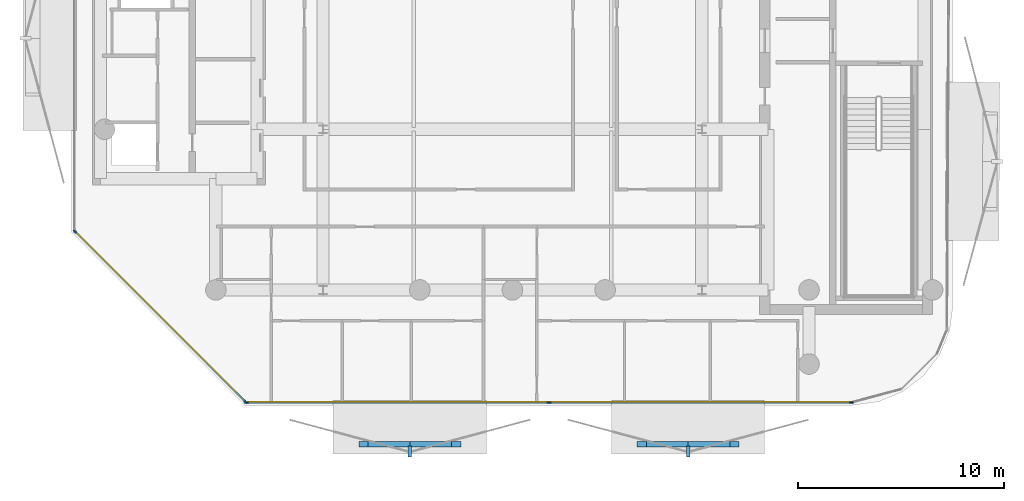
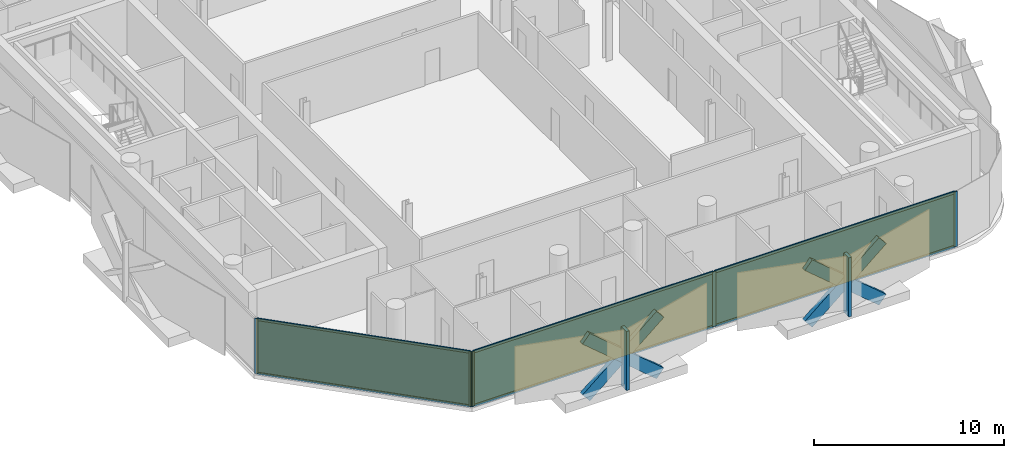
# One storey, part 9 of 17: 17 members, 3 plates, 2 curtain walls.
"""IFC4 building model written with IfcOpenShell, lengths in metres."""

from ifc_helpers import new_model, si_unit, direction, frame, frame_2d, origin, origin_2d, place, context, subcontext, project, spatial, rectangle, extrude, material, layer, layer_set, material_profile, profile_set, type_object, element, aggregate, save


model = new_model("IFC4")

# Units and contexts
model_context = context("Model", 3, precision=1e-05, world=origin(), true_north=direction((0.0, 1.0)))
body_context = subcontext(model_context, "Body", "Model", "MODEL_VIEW")
ifc_project = project(units=[si_unit("LENGTHUNIT", "METRE"), si_unit("AREAUNIT", "SQUARE_METRE"), si_unit("VOLUMEUNIT", "CUBIC_METRE"), si_unit("PLANEANGLEUNIT", "RADIAN"), si_unit("MASSUNIT", "GRAM", prefix="KILO")], contexts=[model_context])

# Member
ifc_material_1 = material(Name="Anodised Bronze Aluminium 6063-T6", Category="aluminium")
ifc_material_profile_1 = material_profile(ifc_material_1, rectangle(XDim=0.260009765625, YDim=0.699951171875, at=origin_2d()))
ifc_profile_set_1 = profile_set([ifc_material_profile_1], Name="Anodised Bronze Aluminium 6063-T6")
member_type_1 = type_object("IfcMemberType", Name="Bronze Diamond Solar-Screen Lattice Rib BDL-700", PredefinedType="MULLION", material=ifc_profile_set_1)
site_placement = place(None, origin())
building_placement = place(site_placement, origin())
storey_placement = place(building_placement, frame((0.0, 0.0, 304.199951171875)))
member_1_placement = place(storey_placement, frame((10.785400390625, -26.10009765625, -0.1298828125), z_axis=(-0.7644222519, 0.0, 0.644715922559), x_axis=(0.0, 1.0, 0.0)))
member_1 = element("IfcMember", 1, at=member_1_placement, type_object=member_type_1, Name="L73 Bronze Diamond Solar Screen Lattice Rib 510A", PredefinedType="MULLION", context=body_context, shape_type="SweptSolid", body=[
    extrude(rectangle(XDim=0.260009765625, YDim=0.699951171875, at=origin_2d()), origin(), (0.0, 0.0, 1.0), 5.89404296875),
])

member_2_placement = place(storey_placement, frame((6.27978515625, -26.10009765625, -0.1298828125), z_axis=(0.7644222519, 0.0, 0.644715922559), x_axis=(0.0, -1.0, 0.0)))
member_2 = element("IfcMember", 2, at=member_2_placement, type_object=member_type_1, Name="L73 Bronze Diamond Solar Screen Lattice Rib 510B", PredefinedType="MULLION", context=body_context, shape_type="SweptSolid", body=[
    extrude(rectangle(XDim=0.260009765625, YDim=0.699951171875, at=origin_2d()), origin(), (0.0, 0.0, 1.0), 5.89404296875),
])

member_3_placement = place(storey_placement, frame((-2.731201171875, -26.10009765625, -0.1298828125), z_axis=(-0.764405034138, 0.0, 0.64473633664), x_axis=(0.0, 1.0, 0.0)))
member_3 = element("IfcMember", 3, at=member_3_placement, type_object=member_type_1, Name="L73 Bronze Diamond Solar Screen Lattice Rib 511A", PredefinedType="MULLION", context=body_context, shape_type="SweptSolid", body=[
    extrude(rectangle(XDim=0.260009765625, YDim=0.699951171875, at=origin_2d()), origin(), (0.0, 0.0, 1.0), 5.89404296875),
])

member_4_placement = place(storey_placement, frame((-7.236572265625, -26.10009765625, -0.1298828125), z_axis=(0.764405034138, 0.0, 0.64473633664), x_axis=(0.0, -1.0, 0.0)))
member_4 = element("IfcMember", 4, at=member_4_placement, type_object=member_type_1, Name="L73 Bronze Diamond Solar Screen Lattice Rib 511B", PredefinedType="MULLION", context=body_context, shape_type="SweptSolid", body=[
    extrude(rectangle(XDim=0.260009765625, YDim=0.699951171875, at=origin_2d()), origin(), (0.0, 0.0, 1.0), 5.89404296875),
])

ifc_material_2 = material(Name="Anodised Bronze Aluminium 6063-T6", Category="aluminium")
ifc_material_profile_2 = material_profile(ifc_material_2, rectangle(XDim=0.179931640625, YDim=0.5400390625, at=origin_2d()))
ifc_profile_set_2 = profile_set([ifc_material_profile_2], Name="Anodised Bronze Aluminium 6063-T6")
member_type_2 = type_object("IfcMemberType", Name="Bronze Solar-Screen Vertical Fold Fin BSF-540", PredefinedType="MULLION", material=ifc_profile_set_2)
member_5_placement = place(storey_placement, frame((8.53271484375, -26.43994140625, -0.1298828125), z_axis=(0.0, 0.0, 1.0), x_axis=(-1.0, 0.0, 0.0)))
member_5 = element("IfcMember", 5, at=member_5_placement, type_object=member_type_2, Name="L73 Bronze Solar Screen Vertical Fin 510", PredefinedType="MULLION", context=body_context, shape_type="SweptSolid", body=[
    extrude(rectangle(XDim=0.179931640625, YDim=0.5400390625, at=origin_2d()), origin(), (0.0, 0.0, 1.0), 3.800048828125),
])

member_6_placement = place(storey_placement, frame((-4.98388671875, -26.43994140625, -0.1298828125), z_axis=(0.0, 0.0, 1.0), x_axis=(-1.0, 0.0, 0.0)))
member_6 = element("IfcMember", 6, at=member_6_placement, type_object=member_type_2, Name="L73 Bronze Solar Screen Vertical Fin 511", PredefinedType="MULLION", context=body_context, shape_type="SweptSolid", body=[
    extrude(rectangle(XDim=0.179931640625, YDim=0.5400390625, at=origin_2d()), origin(), (0.0, 0.0, 1.0), 3.800048828125),
])

ifc_material_3 = material(Name="Anodised Bronze Aluminium 6063-T6", Category="aluminium")
ifc_material_profile_3 = material_profile(ifc_material_3, rectangle(XDim=0.074951171875, YDim=0.2099609375, at=origin_2d()))
ifc_profile_set_3 = profile_set([ifc_material_profile_3], Name="Anodised Bronze Aluminium 6063-T6")
member_type_3 = type_object("IfcMemberType", Name="CW-CRN Mullion 75x210", PredefinedType="MULLION", material=ifc_profile_set_3)
member_7_placement = place(storey_placement, frame((16.453369140625, -24.06005859375, 0.0), z_axis=(0.0, 0.0, 1.0), x_axis=(0.0, -1.0, 0.0)))
member_7 = element("IfcMember", 7, at=member_7_placement, type_object=member_type_3, Name="CW-CRN mullion 1", PredefinedType="MULLION", context=body_context, shape_type="SweptSolid", body=[
    extrude(rectangle(XDim=0.074951171875, YDim=0.2099609375, at=origin_2d()), origin(), (0.0, 0.0, 1.0), 3.5400390625),
])

member_8_placement = place(storey_placement, frame((1.7744140625, -24.06005859375, 0.0), z_axis=(0.0, 0.0, 1.0), x_axis=(0.0, -1.0, 0.0)))
member_8 = element("IfcMember", 8, at=member_8_placement, type_object=member_type_3, Name="CW-CRN mullion 2", PredefinedType="MULLION", context=body_context, shape_type="SweptSolid", body=[
    extrude(rectangle(XDim=0.074951171875, YDim=0.2099609375, at=origin_2d()), origin(), (0.0, 0.0, 1.0), 3.5400390625),
])

member_9_placement = place(storey_placement, frame((-12.904541015625, -24.06005859375, 0.0), z_axis=(0.0, 0.0, 1.0), x_axis=(0.0, -1.0, 0.0)))
member_9 = element("IfcMember", 9, at=member_9_placement, type_object=member_type_3, Name="CW-CRN mullion 3", PredefinedType="MULLION", context=body_context, shape_type="SweptSolid", body=[
    extrude(rectangle(XDim=0.074951171875, YDim=0.2099609375, at=origin_2d()), origin(), (0.0, 0.0, 1.0), 3.5400390625),
])

ifc_material_4 = material(Name="Anodised Bronze Aluminium 6063-T6", Category="aluminium")
ifc_material_profile_4 = material_profile(ifc_material_4, rectangle(XDim=0.074951171875, YDim=0.1650390625, at=origin_2d()))
ifc_profile_set_4 = profile_set([ifc_material_profile_4], Name="Anodised Bronze Aluminium 6063-T6")
member_type_4 = type_object("IfcMemberType", Name="CW-CRN Transom 75x165", PredefinedType="USERDEFINED", material=ifc_profile_set_4)
member_10_placement = place(storey_placement, frame((16.415771484375, -24.06005859375, 0.03759765625), z_axis=(-1.0, 0.0, 0.0), x_axis=(0.0, -1.0, 0.0)))
member_10 = element("IfcMember", 10, at=member_10_placement, type_object=member_type_4, Name="CW-CRN transom 1.1", ObjectType="TRANSOM", PredefinedType="USERDEFINED", context=body_context, shape_type="SweptSolid", body=[
    extrude(rectangle(XDim=0.074951171875, YDim=0.1650390625, at=origin_2d()), origin(), (0.0, 0.0, 1.0), 14.603759765625),
])

member_11_placement = place(storey_placement, frame((16.415771484375, -24.06005859375, 3.50244140625), z_axis=(-1.0, 0.0, 0.0), x_axis=(0.0, -1.0, 0.0)))
member_11 = element("IfcMember", 11, at=member_11_placement, type_object=member_type_4, Name="CW-CRN transom 1.2", ObjectType="TRANSOM", PredefinedType="USERDEFINED", context=body_context, shape_type="SweptSolid", body=[
    extrude(rectangle(XDim=0.074951171875, YDim=0.1650390625, at=origin_2d()), origin(), (0.0, 0.0, 1.0), 14.603759765625),
])

member_12_placement = place(storey_placement, frame((1.73681640625, -24.06005859375, 0.03759765625), z_axis=(-1.0, 0.0, 0.0), x_axis=(0.0, -1.0, 0.0)))
member_12 = element("IfcMember", 12, at=member_12_placement, type_object=member_type_4, Name="CW-CRN transom 2.1", ObjectType="TRANSOM", PredefinedType="USERDEFINED", context=body_context, shape_type="SweptSolid", body=[
    extrude(rectangle(XDim=0.074951171875, YDim=0.1650390625, at=origin_2d()), origin(), (0.0, 0.0, 1.0), 14.603759765625),
])

member_13_placement = place(storey_placement, frame((1.73681640625, -24.06005859375, 3.50244140625), z_axis=(-1.0, 0.0, 0.0), x_axis=(0.0, -1.0, 0.0)))
member_13 = element("IfcMember", 13, at=member_13_placement, type_object=member_type_4, Name="CW-CRN transom 2.2", ObjectType="TRANSOM", PredefinedType="USERDEFINED", context=body_context, shape_type="SweptSolid", body=[
    extrude(rectangle(XDim=0.074951171875, YDim=0.1650390625, at=origin_2d()), origin(), (0.0, 0.0, 1.0), 14.603759765625),
])

ifc_material_5 = material(Name="Anodised Bronze Aluminium 6063-T6", Category="aluminium")
ifc_material_profile_5 = material_profile(ifc_material_5, rectangle(XDim=0.070068359375, YDim=0.18994140625, at=origin_2d()))
ifc_profile_set_5 = profile_set([ifc_material_profile_5], Name="Anodised Bronze Aluminium 6063-T6")
member_type_5 = type_object("IfcMemberType", Name="CW-SLC Mullion 70x190", PredefinedType="MULLION", material=ifc_profile_set_5)
member_14_placement = place(storey_placement, frame((-12.966796875, -24.03515625, 0.0), z_axis=(0.0, 0.0, 1.0), x_axis=(-0.707106781187, -0.707106781187, 0.0)))
member_14 = element("IfcMember", 14, at=member_14_placement, type_object=member_type_5, Name="CW-SLC mullion 1", PredefinedType="MULLION", context=body_context, shape_type="SweptSolid", body=[
    extrude(rectangle(XDim=0.070068359375, YDim=0.18994140625, at=origin_2d()), origin(), (0.0, 0.0, 1.0), 3.5400390625),
])

member_15_placement = place(storey_placement, frame((-21.2353515625, -15.766845703125, 0.0), z_axis=(0.0, 0.0, 1.0), x_axis=(-0.707106781187, -0.707106781187, 0.0)))
member_15 = element("IfcMember", 15, at=member_15_placement, type_object=member_type_5, Name="CW-SLC mullion 2", PredefinedType="MULLION", context=body_context, shape_type="SweptSolid", body=[
    extrude(rectangle(XDim=0.070068359375, YDim=0.18994140625, at=origin_2d()), origin(), (0.0, 0.0, 1.0), 3.5400390625),
])

ifc_material_6 = material(Name="Anodised Bronze Aluminium 6063-T6", Category="aluminium")
ifc_material_profile_6 = material_profile(ifc_material_6, rectangle(XDim=0.070068359375, YDim=0.14990234375, at=origin_2d()))
ifc_profile_set_6 = profile_set([ifc_material_profile_6], Name="Anodised Bronze Aluminium 6063-T6")
member_type_6 = type_object("IfcMemberType", Name="CW-SLC Transom 70x150", PredefinedType="USERDEFINED", material=ifc_profile_set_6)
member_16_placement = place(storey_placement, frame((-12.991455078125, -24.010498046875, 0.03515625), z_axis=(-0.707106781187, 0.707106781187, 0.0), x_axis=(-0.707106781187, -0.707106781187, 0.0)))
member_16 = element("IfcMember", 16, at=member_16_placement, type_object=member_type_6, Name="CW-SLC transom 1.1", ObjectType="TRANSOM", PredefinedType="USERDEFINED", context=body_context, shape_type="SweptSolid", body=[
    extrude(rectangle(XDim=0.070068359375, YDim=0.14990234375, at=origin_2d()), origin(), (0.0, 0.0, 1.0), 11.623291015625),
])

member_17_placement = place(storey_placement, frame((-12.991455078125, -24.010498046875, 3.505126953125), z_axis=(-0.707106781187, 0.707106781187, 0.0), x_axis=(-0.707106781187, -0.707106781187, 0.0)))
member_17 = element("IfcMember", 17, at=member_17_placement, type_object=member_type_6, Name="CW-SLC transom 1.2", ObjectType="TRANSOM", PredefinedType="USERDEFINED", context=body_context, shape_type="SweptSolid", body=[
    extrude(rectangle(XDim=0.070068359375, YDim=0.14990234375, at=origin_2d()), origin(), (0.0, 0.0, 1.0), 11.623291015625),
])

# Plate
ifc_material_7 = material(Name="Low-E Solar Control Laminated Glass", Category="glass")
ifc_layer_1 = layer(ifc_material_7, 0.035888671875, Name="Low-E Solar Control Laminated Glass")
ifc_layer_set_1 = layer_set([ifc_layer_1], Name="Low-E Solar Control Laminated Glass")
plate_type_1 = type_object("IfcPlateType", Name="CW-CRN Low-E Double Glazed Panel 36mm", PredefinedType="CURTAIN_PANEL", material=ifc_layer_set_1)
plate_1_placement = place(storey_placement, frame((9.11376953125, -24.06005859375, 0.0751953125), z_axis=(0.0, 0.0, 1.0), x_axis=(-1.0, 0.0, 0.0)))
plate_1 = element("IfcPlate", 18, at=plate_1_placement, type_object=plate_type_1, Name="CW-CRN panel 1.1", PredefinedType="CURTAIN_PANEL", context=body_context, shape_type="SweptSolid", body=[
    extrude(rectangle(XDim=14.60400390625, YDim=0.035888671875, at=origin_2d()), origin(), (0.0, 0.0, 1.0), 3.389892578125),
])

plate_2_placement = place(storey_placement, frame((-5.56494140625, -24.06005859375, 0.0751953125), z_axis=(0.0, 0.0, 1.0), x_axis=(-1.0, 0.0, 0.0)))
plate_2 = element("IfcPlate", 19, at=plate_2_placement, type_object=plate_type_1, Name="CW-CRN panel 2.1", PredefinedType="CURTAIN_PANEL", context=body_context, shape_type="SweptSolid", body=[
    extrude(rectangle(XDim=14.60400390625, YDim=0.035888671875, at=origin_2d()), origin(), (0.0, 0.0, 1.0), 3.389892578125),
])

ifc_material_8 = material(Name="Low-E Solar Control Laminated Glass", Category="glass")
ifc_layer_2 = layer(ifc_material_8, 0.033935546875, Name="Low-E Solar Control Laminated Glass")
ifc_layer_set_2 = layer_set([ifc_layer_2], Name="Low-E Solar Control Laminated Glass")
plate_type_2 = type_object("IfcPlateType", Name="CW-SLC Low-E Double Glazed Panel 34mm", PredefinedType="CURTAIN_PANEL", material=ifc_layer_set_2)
plate_3_placement = place(storey_placement, frame((-17.10107421875, -19.90087890625, 0.070068359375), z_axis=(0.0, 0.0, 1.0), x_axis=(-0.707106781187, 0.707106781187, 0.0)))
plate_3 = element("IfcPlate", 20, at=plate_3_placement, type_object=plate_type_2, Name="CW-SLC panel 1.1", PredefinedType="CURTAIN_PANEL", context=body_context, shape_type="SweptSolid", body=[
    extrude(rectangle(XDim=11.62353515625, YDim=0.033935546875, at=origin_2d()), origin(), (0.0, 0.0, 1.0), 3.39990234375),
])

# Site, building, storey
site = spatial("IfcSite", under=ifc_project, at=site_placement, CompositionType="ELEMENT")
building = spatial("IfcBuilding", under=site, at=building_placement, Name="Khairoan Windgate Tower", CompositionType="ELEMENT")
storey = spatial("IfcBuildingStorey", under=building, at=storey_placement, Name="L73", CompositionType="ELEMENT", Elevation=304.199951171875)

# Curtain wall
ifc_material_9 = material(Name="Anodised Bronze Aluminium 6063-T6", Category="aluminium")
ifc_layer_3 = layer(ifc_material_9, 0.2099609375, Name="Anodised Bronze Aluminium 6063-T6")
ifc_layer_set_3 = layer_set([ifc_layer_3], Name="Anodised Bronze Aluminium 6063-T6")
curtain_wall_type_1 = type_object("IfcCurtainWallType", Name="Crown Observation and Vitrine Curtain Wall CW-CRN", PredefinedType="NOTDEFINED", material=ifc_layer_set_3)
curtain_wall_1_placement = place(storey_placement, frame((16.49072265625, -24.06005859375, 0.0), z_axis=(0.0, 0.0, 1.0), x_axis=(-1.0, 0.0, 0.0)))
curtain_wall_1 = element("IfcCurtainWall", 21, at=curtain_wall_1_placement, inside=storey, type_object=curtain_wall_type_1, Name="L73 Unitised Curtain Wall 1", PredefinedType="NOTDEFINED", context=body_context, shape_type="SweptSolid", body=[
    extrude(rectangle(XDim=29.4326171875, YDim=0.010009765625, at=frame_2d((14.71630859375, 0.0))), origin(), (0.0, 0.0, 1.0), 3.5400390625),
])

aggregate(curtain_wall_1, [member_7, member_8, member_9, member_10, member_11, plate_1, member_12, member_13, plate_2, member_1, member_2, member_5, member_3, member_4, member_6])

ifc_material_10 = material(Name="Anodised Bronze Aluminium 6063-T6", Category="aluminium")
ifc_layer_4 = layer(ifc_material_10, 0.18994140625, Name="Anodised Bronze Aluminium 6063-T6")
ifc_layer_set_4 = layer_set([ifc_layer_4], Name="Anodised Bronze Aluminium 6063-T6")
curtain_wall_type_2 = type_object("IfcCurtainWallType", Name="Diagonal Corner-Slice Facet Curtain Wall CW-SLC", PredefinedType="NOTDEFINED", material=ifc_layer_set_4)
curtain_wall_2_placement = place(storey_placement, frame((-12.94189453125, -24.06005859375, 0.0), z_axis=(0.0, 0.0, 1.0), x_axis=(-0.707106781187, 0.707106781187, 0.0)))
curtain_wall_2 = element("IfcCurtainWall", 22, at=curtain_wall_2_placement, inside=storey, type_object=curtain_wall_type_2, Name="L73 Crystal Slice Curtain Wall 2", PredefinedType="NOTDEFINED", context=body_context, shape_type="SweptSolid", body=[
    extrude(rectangle(XDim=11.763671875, YDim=0.010009765625, at=frame_2d((5.8818359375, 0.0))), origin(), (0.0, 0.0, 1.0), 3.5400390625),
])

aggregate(curtain_wall_2, [member_14, member_15, member_16, member_17, plate_3])

save(model, "model.ifc")
